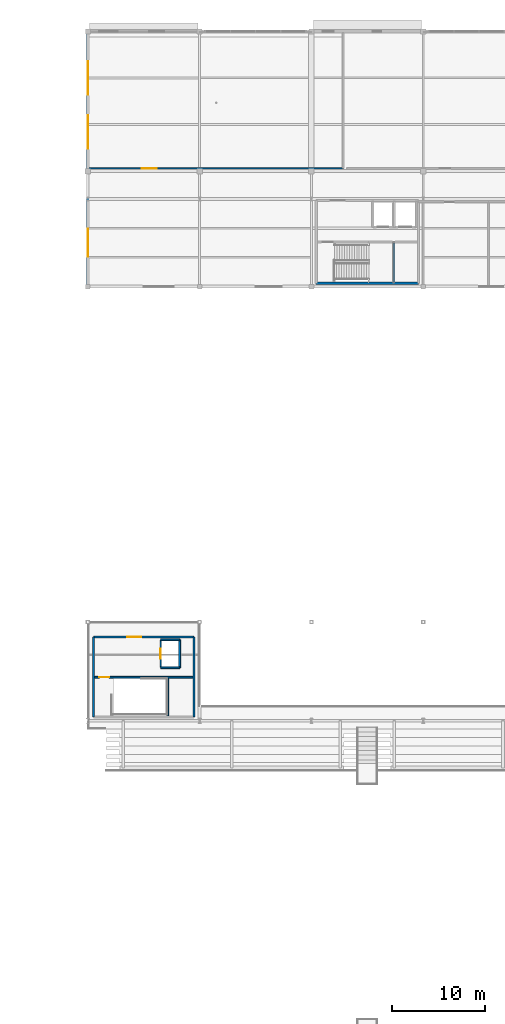
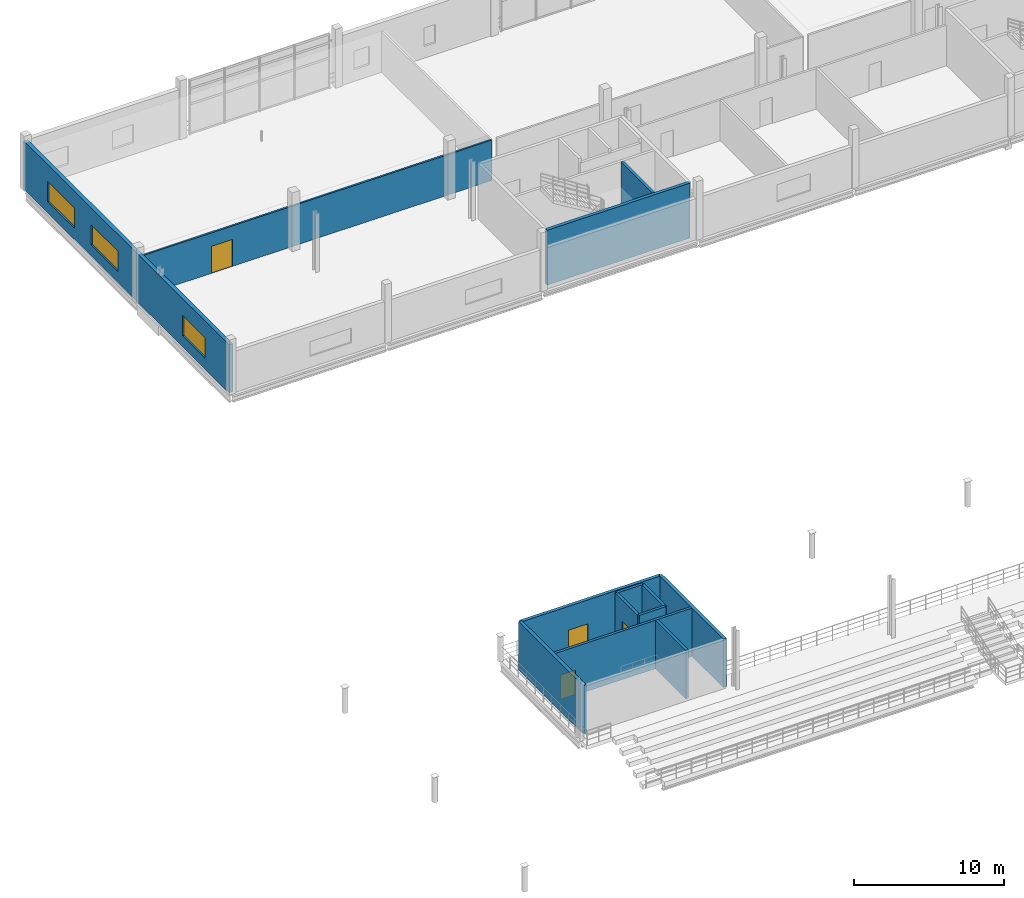
# One storey, part 37 of 52: 13 walls, 4 doors, 3 windows, 7 openings.
"""IFC4 building model written with IfcOpenShell, lengths in metres."""

from ifc_helpers import new_model, si_unit, direction, frame, frame_2d, origin, place, context, subcontext, project, spatial, rectangle, extrude, material, layer, layer_set, type_object, element, fill, save


model = new_model("IFC4")

# Units and contexts
model_context = context("Model", 3, precision=1e-05, world=origin(), true_north=direction((0.0, 1.0)))
body_context = subcontext(model_context, "Body", "Model", "MODEL_VIEW")
ifc_project = project(units=[si_unit("LENGTHUNIT", "METRE"), si_unit("AREAUNIT", "SQUARE_METRE"), si_unit("VOLUMEUNIT", "CUBIC_METRE"), si_unit("PLANEANGLEUNIT", "RADIAN"), si_unit("MASSUNIT", "GRAM", prefix="KILO"), si_unit("THERMODYNAMICTEMPERATUREUNIT", "KELVIN"), si_unit("POWERUNIT", "WATT")], contexts=[model_context])

# Site, building, storey
site_placement = place(None, origin())
site = spatial("IfcSite", under=ifc_project, at=site_placement, CompositionType="ELEMENT")
building_placement = place(site_placement, origin())
building = spatial("IfcBuilding", under=site, at=building_placement, Name="Solmara Park Aquatics Centre", CompositionType="ELEMENT")
storey_placement = place(building_placement, frame((0.0, 0.0, 9.60009765625)))
storey = spatial("IfcBuildingStorey", under=building, at=storey_placement, Name="L02", CompositionType="ELEMENT", Elevation=9.60009765625)

# Wall, opening, door
ifc_material_1 = material(Name="Double-Stud Acoustic Gypsum Partition", Category="gypsum")
ifc_layer_1 = layer(ifc_material_1, 0.139892578125, Name="Double-Stud Acoustic Gypsum Partition")
ifc_layer_set_1 = layer_set([ifc_layer_1], Name="Double-Stud Acoustic Gypsum Partition")
wall_type_1 = type_object("IfcWallType", Name="ARC-WL-ACU140", PredefinedType="PARTITIONING", material=ifc_layer_set_1)
wall_1_placement = place(storey_placement, frame((24.75, 121.300048828125, 0.0), z_axis=(0.0, 0.0, 1.0), x_axis=(1.0, 0.0, 0.0)))
wall_1 = element("IfcWall", 1, at=wall_1_placement, inside=storey, type_object=wall_type_1, Name="Interior Partition IW-L02-0112 (L02-PHY-01)", PredefinedType="PARTITIONING", context=body_context, shape_type="SweptSolid", body=[
    extrude(rectangle(XDim=27.25, YDim=0.139892578125, at=frame_2d((13.625, 0.0))), origin(), (0.0, 0.0, 1.0), 3.2998046875),
])
opening_1_placement = place(wall_1_placement, frame((5.64990234375, 0.0, 0.0)))
opening_1 = element("IfcOpeningElement", 2, at=opening_1_placement, cuts=wall_1, Name="Opening D-19", PredefinedType="OPENING", context=body_context, shape_type="SweptSolid", body=[
    extrude(rectangle(XDim=1.60009765625, YDim=2.199951171875, at=frame_2d((0.800048828125, 1.10009765625))), frame((0.0, 0.079833984375, 0.0), z_axis=(0.0, -1.0, 0.0), x_axis=(1.0, 0.0, 0.0)), (0.0, 0.0, 1.0), 0.159912109375),
])
ifc_material_2 = material(Name="Moisture-Resistant HPL & Hardwood", Category="wood")
door_type_1 = type_object("IfcDoorType", Name="ARC-DR-DBL160x220", OperationType="DOUBLE_DOOR_SINGLE_SWING", PredefinedType="DOOR", material=ifc_material_2)
door_1_placement = place(opening_1_placement, origin())
door_1 = element("IfcDoor", 3, at=door_1_placement, inside=storey, type_object=door_type_1, Name="Aquatic Physiotherapy and Rehabilitation Treatment Gym Door", OperationType="DOUBLE_DOOR_SINGLE_SWING", OverallHeight=2.199951171875, OverallWidth=1.60009765625, PredefinedType="DOOR", context=body_context, shape_type="SweptSolid", body=[
    extrude(rectangle(XDim=1.60009765625, YDim=2.199951171875, at=frame_2d((0.800048828125, 1.10009765625))), frame((0.0, 0.02490234375, 0.0), z_axis=(0.0, -1.0, 0.0), x_axis=(1.0, 0.0, 0.0)), (0.0, 0.0, 1.0), 0.050048828125),
])
fill(opening_1, door_1)

# Wall
ifc_material_3 = material(Name="Concrete C40/50", Category="concrete")
ifc_layer_2 = layer(ifc_material_3, 0.25, Name="Concrete C40/50")
ifc_layer_set_2 = layer_set([ifc_layer_2], Name="Concrete C40/50")
wall_type_2 = type_object("IfcWallType", Name="ARC-WL-CORE250", PredefinedType="SHEAR", material=ifc_layer_set_2)
wall_2_placement = place(storey_placement, frame((49.10009765625, 108.949951171875, 0.0), z_axis=(0.0, 0.0, 1.0), x_axis=(1.0, 0.0, 0.0)))
element("IfcWall", 4, at=wall_2_placement, inside=storey, type_object=wall_type_2, Name="CORE-1 Core Wall S L02", PredefinedType="SHEAR", context=body_context, shape_type="SweptSolid", body=[
    extrude(rectangle(XDim=11.0, YDim=0.25, at=frame_2d((5.5, 0.0))), origin(), (0.0, 0.0, 1.0), 4.47998046875),
])

# Wall, opening, door
wall_3_placement = place(storey_placement, frame((25.199951171875, 71.0, 0.0), z_axis=(0.0, 0.0, 1.0), x_axis=(1.0, 0.0, 0.0)))
wall_3 = element("IfcWall", 5, at=wall_3_placement, inside=storey, type_object=wall_type_2, Name="CORE-4 Core Wall N L02", PredefinedType="SHEAR", context=body_context, shape_type="SweptSolid", body=[
    extrude(rectangle(XDim=10.800048828125, YDim=0.25, at=frame_2d((5.39990234375, 0.0))), origin(), (0.0, 0.0, 1.0), 3.949951171875),
])
opening_2_placement = place(wall_3_placement, frame((3.64990234375, 0.0, 0.0)))
opening_2 = element("IfcOpeningElement", 6, at=opening_2_placement, cuts=wall_3, Name="Opening D-32", PredefinedType="OPENING", context=body_context, shape_type="SweptSolid", body=[
    extrude(rectangle(XDim=1.5, YDim=2.0, at=frame_2d((0.75, 1.0))), frame((0.0, 0.135009765625, 0.0), z_axis=(0.0, -1.0, 0.0), x_axis=(1.0, 0.0, 0.0)), (0.0, 0.0, 1.0), 0.27001953125),
])
door_type_2 = type_object("IfcDoorType", Name="ARC-DR-FD150x200", OperationType="DOUBLE_DOOR_SINGLE_SWING", PredefinedType="DOOR", material=ifc_material_2)
door_2_placement = place(opening_2_placement, origin())
door_2 = element("IfcDoor", 7, at=door_2_placement, inside=storey, type_object=door_type_2, Name="CORE-4 Lobby Entry Fire Door L02", OperationType="DOUBLE_DOOR_SINGLE_SWING", OverallHeight=2.0, OverallWidth=1.5, PredefinedType="DOOR", context=body_context, shape_type="SweptSolid", body=[
    extrude(rectangle(XDim=1.5, YDim=2.0, at=frame_2d((0.75, 1.0))), frame((0.0, 0.02490234375, 0.0), z_axis=(0.0, -1.0, 0.0), x_axis=(1.0, 0.0, 0.0)), (0.0, 0.0, 1.0), 0.050048828125),
])
fill(opening_2, door_2)

# Walls
for number, where, z_axis, x_axis, name in (
    (8, (25.199951171875, 62.39990234375, 0.0), (0.0, 0.0, 1.0), (0.0, 1.0, 0.0), "CORE-4 Core Wall W L02"),
    (9, (36.0, 62.39990234375, 0.0), (0.0, 0.0, 1.0), (0.0, 1.0, 0.0), "CORE-4 Core Wall E L02"),
):
    element("IfcWall", number, at=place(storey_placement, frame(where, z_axis=z_axis, x_axis=x_axis)), inside=storey, type_object=wall_type_2, Name=name, PredefinedType="SHEAR", context=body_context, shape_type="SweptSolid", body=[
        extrude(rectangle(XDim=8.60009765625, YDim=0.25, at=frame_2d((4.300048828125, 0.0))), origin(), (0.0, 0.0, 1.0), 3.949951171875),
    ])

# Wall, openings, windows
ifc_material_4 = material(Name="Insulated Limestone Render Wall", Category="masonry")
ifc_layer_3 = layer(ifc_material_4, 0.300048828125, Name="Insulated Limestone Render Wall")
ifc_layer_set_3 = layer_set([ifc_layer_3], Name="Insulated Limestone Render Wall")
wall_type_3 = type_object("IfcWallType", Name="ARC-WL-EXT300", PredefinedType="SOLIDWALL", material=ifc_layer_set_3)
wall_4_placement = place(storey_placement, frame((24.60009765625, 108.60009765625, 0.0), z_axis=(0.0, 0.0, 1.0), x_axis=(0.0, 1.0, 0.0)))
wall_4 = element("IfcWall", 10, at=wall_4_placement, inside=storey, type_object=wall_type_3, Name="Exterior Facade Wall EW-L02-034", PredefinedType="SOLIDWALL", context=body_context, shape_type="SweptSolid", body=[
    extrude(rectangle(XDim=27.39990234375, YDim=0.300048828125, at=frame_2d((13.699951171875, 0.0))), origin(), (0.0, 0.0, 1.0), 3.929931640625),
])
opening_3_placement = place(wall_4_placement, frame((3.199951171875, 0.0, 0.89990234375)))
opening_3 = element("IfcOpeningElement", 11, at=opening_3_placement, cuts=wall_4, Name="Opening W-23", PredefinedType="OPENING", context=body_context, shape_type="SweptSolid", body=[
    extrude(rectangle(XDim=3.0, YDim=1.64990234375, at=frame_2d((1.5, 0.824951171875))), frame((0.0, 0.159912109375, 0.0), z_axis=(0.0, -1.0, 0.0), x_axis=(1.0, 0.0, 0.0)), (0.0, 0.0, 1.0), 0.320068359375),
])
opening_4_placement = place(wall_4_placement, frame((14.800048828125, 0.0, 0.89990234375)))
opening_4 = element("IfcOpeningElement", 12, at=opening_4_placement, cuts=wall_4, Name="Opening W-22", PredefinedType="OPENING", context=body_context, shape_type="SweptSolid", body=[
    extrude(rectangle(XDim=3.60009765625, YDim=1.64990234375, at=frame_2d((1.800048828125, 0.824951171875))), frame((0.0, 0.159912109375, 0.0), z_axis=(0.0, -1.0, 0.0), x_axis=(1.0, 0.0, 0.0)), (0.0, 0.0, 1.0), 0.320068359375),
])
opening_5_placement = place(wall_4_placement, frame((20.60009765625, 0.0, 0.89990234375)))
opening_5 = element("IfcOpeningElement", 13, at=opening_5_placement, cuts=wall_4, Name="Opening W-22", PredefinedType="OPENING", context=body_context, shape_type="SweptSolid", body=[
    extrude(rectangle(XDim=3.60009765625, YDim=1.64990234375, at=frame_2d((1.800048828125, 0.824951171875))), frame((0.0, 0.159912109375, 0.0), z_axis=(0.0, -1.0, 0.0), x_axis=(1.0, 0.0, 0.0)), (0.0, 0.0, 1.0), 0.320068359375),
])
ifc_material_5 = material(Name="Thermally Broken Aluminium and Low-E Double Glazing", Category="aluminium")
window_type_1 = type_object("IfcWindowType", Name="ARC-WN-300x165", PartitioningType="DOUBLE_PANEL_HORIZONTAL", PredefinedType="WINDOW", material=ifc_material_5)
window_1_placement = place(opening_3_placement, origin())
window_1 = element("IfcWindow", 14, at=window_1_placement, inside=storey, type_object=window_type_1, Name="Ribbon Window WN-083", OverallHeight=1.64990234375, OverallWidth=3.0, PartitioningType="DOUBLE_PANEL_HORIZONTAL", PredefinedType="WINDOW", context=body_context, shape_type="SweptSolid", body=[
    extrude(rectangle(XDim=3.0, YDim=1.64990234375, at=frame_2d((1.5, 0.824951171875))), frame((0.0, 0.030029296875, 0.0), z_axis=(0.0, -1.0, 0.0), x_axis=(1.0, 0.0, 0.0)), (0.0, 0.0, 1.0), 0.06005859375),
])
fill(opening_3, window_1)
window_type_2 = type_object("IfcWindowType", Name="ARC-WN-360x165", PartitioningType="TRIPLE_PANEL_HORIZONTAL", PredefinedType="WINDOW", material=ifc_material_5)
window_2_placement = place(opening_4_placement, origin())
window_2 = element("IfcWindow", 15, at=window_2_placement, inside=storey, type_object=window_type_2, Name="Ribbon Window WN-084", OverallHeight=1.64990234375, OverallWidth=3.60009765625, PartitioningType="TRIPLE_PANEL_HORIZONTAL", PredefinedType="WINDOW", context=body_context, shape_type="SweptSolid", body=[
    extrude(rectangle(XDim=3.60009765625, YDim=1.64990234375, at=frame_2d((1.800048828125, 0.824951171875))), frame((0.0, 0.030029296875, 0.0), z_axis=(0.0, -1.0, 0.0), x_axis=(1.0, 0.0, 0.0)), (0.0, 0.0, 1.0), 0.06005859375),
])
fill(opening_4, window_2)
window_3_placement = place(opening_5_placement, origin())
window_3 = element("IfcWindow", 16, at=window_3_placement, inside=storey, type_object=window_type_2, Name="Ribbon Window WN-085", OverallHeight=1.64990234375, OverallWidth=3.60009765625, PartitioningType="TRIPLE_PANEL_HORIZONTAL", PredefinedType="WINDOW", context=body_context, shape_type="SweptSolid", body=[
    extrude(rectangle(XDim=3.60009765625, YDim=1.64990234375, at=frame_2d((1.800048828125, 0.824951171875))), frame((0.0, 0.030029296875, 0.0), z_axis=(0.0, -1.0, 0.0), x_axis=(1.0, 0.0, 0.0)), (0.0, 0.0, 1.0), 0.06005859375),
])
fill(opening_5, window_3)

# Wall, opening, door
ifc_material_6 = material(Name="Concrete C25/30 Autoclaved Aerated Fire Blockwork", Category="masonry")
ifc_layer_4 = layer(ifc_material_6, 0.199951171875, Name="Concrete C25/30 Autoclaved Aerated Fire Blockwork")
ifc_layer_set_4 = layer_set([ifc_layer_4], Name="Concrete C25/30 Autoclaved Aerated Fire Blockwork")
wall_type_4 = type_object("IfcWallType", Name="ARC-WL-FIRE200", PredefinedType="SOLIDWALL", material=ifc_layer_set_4)
wall_5_placement = place(storey_placement, frame((32.419921875, 67.699951171875, 0.0), z_axis=(0.0, 0.0, 1.0), x_axis=(0.0, 1.0, 0.0)))
wall_5 = element("IfcWall", 17, at=wall_5_placement, inside=storey, type_object=wall_type_4, Name="CORE-4 Lift Shaft Front Wall L02", PredefinedType="SOLIDWALL", context=body_context, shape_type="SweptSolid", body=[
    extrude(rectangle(XDim=3.0, YDim=0.199951171875, at=frame_2d((1.5, 0.0))), origin(), (0.0, 0.0, 1.0), 3.949951171875),
])
opening_6_placement = place(wall_5_placement, frame((0.949951171875, 0.0, 0.0)))
opening_6 = element("IfcOpeningElement", 18, at=opening_6_placement, cuts=wall_5, Name="Opening D-09", PredefinedType="OPENING", context=body_context, shape_type="SweptSolid", body=[
    extrude(rectangle(XDim=1.10009765625, YDim=2.199951171875, at=frame_2d((0.550048828125, 1.10009765625))), frame((0.0, 0.10986328125, 0.0), z_axis=(0.0, -1.0, 0.0), x_axis=(1.0, 0.0, 0.0)), (0.0, 0.0, 1.0), 0.219970703125),
])
ifc_material_7 = material(Name="Stainless Steel", Category="steel")
door_type_3 = type_object("IfcDoorType", Name="ARC-DR-LD110x220", OperationType="DOUBLE_DOOR_SLIDING", PredefinedType="DOOR", material=ifc_material_7)
door_3_placement = place(opening_6_placement, origin())
door_3 = element("IfcDoor", 19, at=door_3_placement, inside=storey, type_object=door_type_3, Name="LF-06 Lift Landing Door L02", OperationType="DOUBLE_DOOR_SLIDING", OverallHeight=2.199951171875, OverallWidth=1.10009765625, PredefinedType="DOOR", context=body_context, shape_type="SweptSolid", body=[
    extrude(rectangle(XDim=1.10009765625, YDim=2.199951171875, at=frame_2d((0.550048828125, 1.10009765625))), frame((0.0, 0.02490234375, 0.0), z_axis=(0.0, -1.0, 0.0), x_axis=(1.0, 0.0, 0.0)), (0.0, 0.0, 1.0), 0.050048828125),
])
fill(opening_6, door_3)

# Walls
wall_6_placement = place(storey_placement, frame((34.449951171875, 67.699951171875, 0.0), z_axis=(0.0, 0.0, 1.0), x_axis=(0.0, 1.0, 0.0)))
element("IfcWall", 20, at=wall_6_placement, inside=storey, type_object=wall_type_4, Name="LF-06 Lift Shaft East Wall L02", PredefinedType="SOLIDWALL", context=body_context, shape_type="SweptSolid", body=[
    extrude(rectangle(XDim=3.0, YDim=0.199951171875, at=frame_2d((1.5, 0.0))), origin(), (0.0, 0.0, 1.0), 3.949951171875),
])
for number, where, z_axis, x_axis, name in (
    (21, (32.419921875, 67.699951171875, 0.0), (0.0, 0.0, 1.0), (1.0, 0.0, 0.0), "LF-06 Lift Shaft South Wall L02"),
    (22, (32.419921875, 70.699951171875, 0.0), (0.0, 0.0, 1.0), (1.0, 0.0, 0.0), "LF-06 Lift Shaft North Wall L02"),
):
    element("IfcWall", number, at=place(storey_placement, frame(where, z_axis=z_axis, x_axis=x_axis)), inside=storey, type_object=wall_type_4, Name=name, PredefinedType="SOLIDWALL", context=body_context, shape_type="SweptSolid", body=[
        extrude(rectangle(XDim=2.030029296875, YDim=0.199951171875, at=frame_2d((1.01513671875, 0.0))), origin(), (0.0, 0.0, 1.0), 3.949951171875),
    ])
ifc_material_8 = material(Name="Concrete C35/45", Category="concrete")
ifc_layer_5 = layer(ifc_material_8, 0.199951171875, Name="Concrete C35/45")
ifc_layer_set_5 = layer_set([ifc_layer_5], Name="Concrete C35/45")
wall_type_5 = type_object("IfcWallType", Name="STR-WL-STAIR200", PredefinedType="SHEAR", material=ifc_layer_set_5)
wall_7_placement = place(storey_placement, frame((57.4599609375, 109.070068359375, 0.0), z_axis=(0.0, 0.0, 1.0), x_axis=(0.0, 1.0, 0.0)))
element("IfcWall", 23, at=wall_7_placement, inside=storey, type_object=wall_type_5, Name="CORE-1 Stairwell East End Wall L02", PredefinedType="SHEAR", context=body_context, shape_type="SweptSolid", body=[
    extrude(rectangle(XDim=4.204833984375, YDim=0.199951171875, at=frame_2d((2.1025390625, 0.0))), origin(), (0.0, 0.0, 1.0), 4.47998046875),
])

# Wall, opening, door
wall_8_placement = place(storey_placement, frame((25.320068359375, 66.675048828125, 0.0), z_axis=(0.0, 0.0, 1.0), x_axis=(1.0, 0.0, 0.0)))
wall_8 = element("IfcWall", 24, at=wall_8_placement, inside=storey, type_object=wall_type_5, Name="CORE-4 Stairwell Compartment Wall L02", PredefinedType="SHEAR", context=body_context, shape_type="SweptSolid", body=[
    extrude(rectangle(XDim=10.559814453125, YDim=0.199951171875, at=frame_2d((5.27978515625, 0.0))), origin(), (0.0, 0.0, 1.0), 3.949951171875),
])
opening_7_placement = place(wall_8_placement, frame((0.47998046875, 0.0, 0.0)))
opening_7 = element("IfcOpeningElement", 25, at=opening_7_placement, cuts=wall_8, Name="Opening D-33", PredefinedType="OPENING", context=body_context, shape_type="SweptSolid", body=[
    extrude(rectangle(XDim=1.10009765625, YDim=2.0, at=frame_2d((0.550048828125, 1.0))), frame((0.0, 0.10986328125, 0.0), z_axis=(0.0, -1.0, 0.0), x_axis=(1.0, 0.0, 0.0)), (0.0, 0.0, 1.0), 0.219970703125),
])
door_type_4 = type_object("IfcDoorType", Name="ARC-DR-FD110x200", OperationType="NOTDEFINED", PredefinedType="DOOR", material=ifc_material_2)
door_4_placement = place(opening_7_placement, origin())
door_4 = element("IfcDoor", 26, at=door_4_placement, inside=storey, type_object=door_type_4, Name="ST-04 Fire Door L02", OperationType="SINGLE_SWING_RIGHT", OverallHeight=2.0, OverallWidth=1.10009765625, PredefinedType="DOOR", context=body_context, shape_type="SweptSolid", body=[
    extrude(rectangle(XDim=1.10009765625, YDim=2.0, at=frame_2d((0.550048828125, 1.0))), frame((0.0, 0.02490234375, 0.0), z_axis=(0.0, -1.0, 0.0), x_axis=(1.0, 0.0, 0.0)), (0.0, 0.0, 1.0), 0.050048828125),
])
fill(opening_7, door_4)

# Wall
wall_9_placement = place(storey_placement, frame((33.159912109375, 62.52001953125, 0.0), z_axis=(0.0, 0.0, 1.0), x_axis=(0.0, 1.0, 0.0)))
element("IfcWall", 27, at=wall_9_placement, inside=storey, type_object=wall_type_5, Name="CORE-4 Stairwell East End Wall L02", PredefinedType="SHEAR", context=body_context, shape_type="SweptSolid", body=[
    extrude(rectangle(XDim=4.054931640625, YDim=0.199951171875, at=frame_2d((2.02734375, 0.0))), origin(), (0.0, 0.0, 1.0), 3.949951171875),
])

save(model, "model.ifc")
